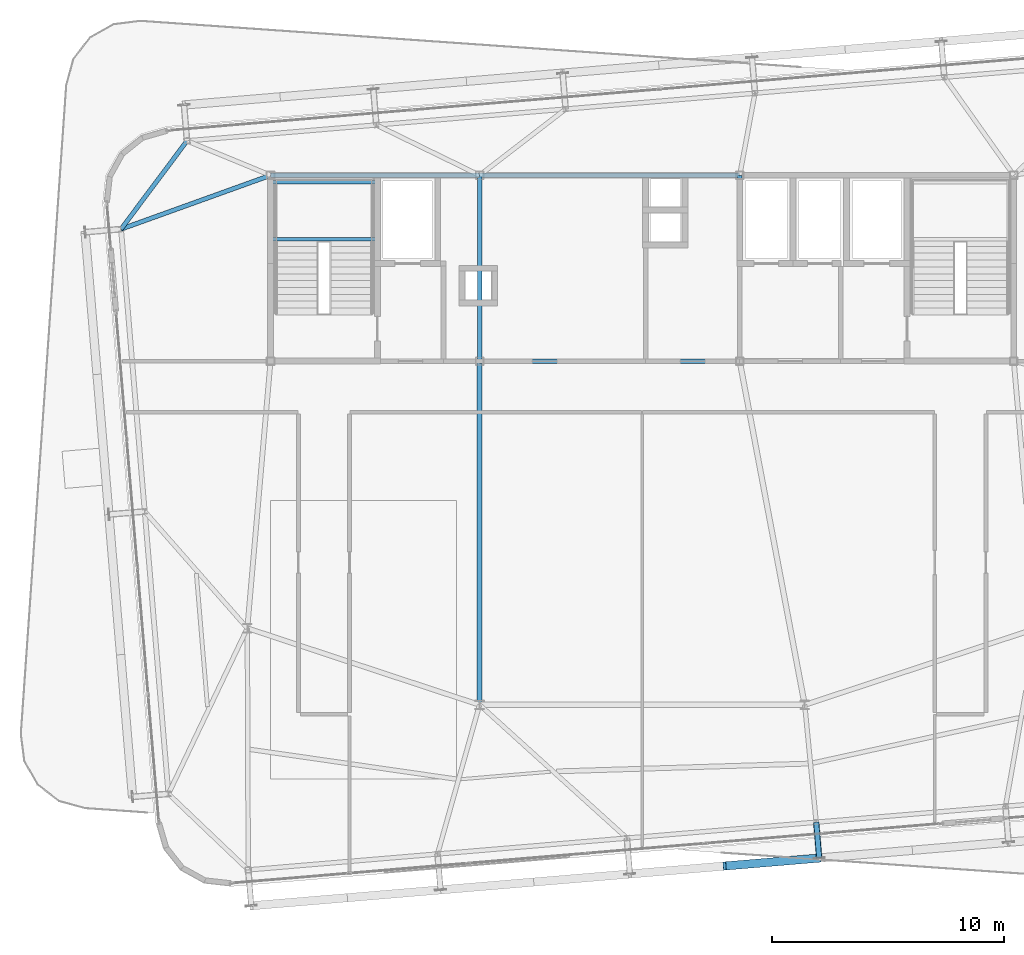
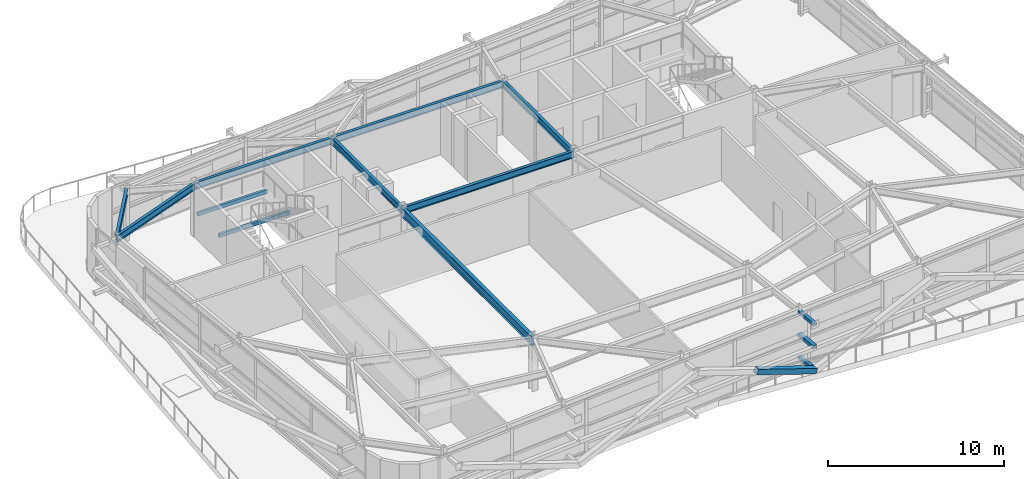
# One storey, part 13 of 38: 10 beams, 4 members.
"""IFC4 building model written with IfcOpenShell, lengths in metres."""

from ifc_helpers import new_model, si_unit, direction, frame, origin, origin_2d, place, context, subcontext, project, spatial, hollow_rectangle, i_section, extrude, source, transform, mapped, material, material_profile, profile_set, type_object, element, save


model = new_model("IFC4")

# Units and contexts
model_context = context("Model", 3, precision=1e-05, world=origin(), true_north=direction((0.0, 1.0)))
body_context = subcontext(model_context, "Body", "Model", "MODEL_VIEW")
ifc_project = project(units=[si_unit("LENGTHUNIT", "METRE"), si_unit("AREAUNIT", "SQUARE_METRE"), si_unit("VOLUMEUNIT", "CUBIC_METRE"), si_unit("PLANEANGLEUNIT", "RADIAN"), si_unit("MASSUNIT", "GRAM", prefix="KILO")], contexts=[model_context])

# Site, building, storey
site_placement = place(None, origin())
site = spatial("IfcSite", under=ifc_project, at=site_placement, CompositionType="ELEMENT")
building_placement = place(site_placement, origin())
building = spatial("IfcBuilding", under=site, at=building_placement, Name="Taldren Reach Tower", CompositionType="ELEMENT")
storey_placement = place(building_placement, frame((0.0, 0.0, 168.699951171875)))
storey = spatial("IfcBuildingStorey", under=building, at=storey_placement, Name="L51", CompositionType="ELEMENT", Elevation=168.699951171875)

# Beams
ifc_material_1 = material(Name="Steel Gr 350 (350PLUS)", Category="steel")
ifc_material_profile_1 = material_profile(ifc_material_1, i_section(OverallWidth=0.19091796875, OverallDepth=0.4599609375, WebThickness=0.010009765625, FlangeThickness=0.01611328125, at=origin_2d()), Name="460UB82.1")
ifc_profile_set_1 = profile_set([ifc_material_profile_1], Name="Steel Gr 350 (350PLUS)")
beam_type_1 = type_object("IfcBeamType", Name="BM-UB460A", PredefinedType="BEAM", material=ifc_profile_set_1)
shared_shape_1 = source(origin(), body_context, "Body", "SweptSolid", [
    extrude(i_section(OverallWidth=0.19091796875, OverallDepth=0.4599609375, WebThickness=0.010009765625, FlangeThickness=0.01611328125, at=origin_2d()), origin(), (0.0, 0.0, 1.0), 9.0),
])
beam_1_placement = place(storey_placement, frame((19.0, 32.0, 3.400146484375), z_axis=(1.0, 0.0, 0.0), x_axis=(0.0, 1.0, 0.0)))
element("IfcBeam", 1, at=beam_1_placement, inside=storey, type_object=beam_type_1, Name="Core-spine girder L51-SP04", PredefinedType="BEAM", context=body_context, shape_type="MappedRepresentation", body=[
    mapped(shared_shape_1, transform((0.0, 0.0, 0.0), scale=1.0)),
])
shared_shape_2 = source(origin(), body_context, "Body", "SweptSolid", [
    extrude(i_section(OverallWidth=0.19091796875, OverallDepth=0.4599609375, WebThickness=0.010009765625, FlangeThickness=0.01611328125, at=origin_2d()), origin(), (0.0, 0.0, 1.0), 11.199951171875),
])
for number, where, z_axis, x_axis, name in (
    (2, (28.0, 24.0, 3.400146484375), (1.0, 0.0, 0.0), (0.0, 1.0, 0.0), "Core-spine girder L51-SP02"),
    (3, (28.0, 32.0, 3.400146484375), (1.0, 0.0, 0.0), (0.0, 1.0, 0.0), "Core-spine girder L51-SP05"),
):
    element("IfcBeam", number, at=place(storey_placement, frame(where, z_axis=z_axis, x_axis=x_axis)), inside=storey, type_object=beam_type_1, Name=name, PredefinedType="BEAM", context=body_context, shape_type="MappedRepresentation", body=[
        mapped(shared_shape_2, transform((0.0, 0.0, 0.0), scale=1.0)),
    ])
shared_shape_3 = source(origin(), body_context, "Body", "SweptSolid", [
    extrude(i_section(OverallWidth=0.19091796875, OverallDepth=0.4599609375, WebThickness=0.010009765625, FlangeThickness=0.01611328125, at=origin_2d()), origin(), (0.0, 0.0, 1.0), 8.0),
])
for number, where, z_axis, x_axis, name in (
    (4, (28.0, 24.0, 3.400146484375), (0.0, 1.0, 0.0), (-1.0, 0.0, 0.0), "Core-spine girder L51-SP07"),
    (5, (39.199951171875, 24.0, 3.400146484375), (0.0, 1.0, 0.0), (-1.0, 0.0, 0.0), "Core-spine girder L51-SP08"),
):
    element("IfcBeam", number, at=place(storey_placement, frame(where, z_axis=z_axis, x_axis=x_axis)), inside=storey, type_object=beam_type_1, Name=name, PredefinedType="BEAM", context=body_context, shape_type="MappedRepresentation", body=[
        mapped(shared_shape_3, transform((0.0, 0.0, 0.0), scale=1.0)),
    ])
ifc_material_profile_2 = material_profile(ifc_material_1, i_section(OverallWidth=0.22802734375, OverallDepth=0.60205078125, WebThickness=0.010498046875, FlangeThickness=0.014892578125, at=origin_2d()), Name="610UB101")
ifc_profile_set_2 = profile_set([ifc_material_profile_2], Name="Steel Gr 350 (350PLUS)")
beam_type_2 = type_object("IfcBeamType", Name="BM-UB610B", PredefinedType="BEAM", material=ifc_profile_set_2)
shared_shape_4 = source(origin(), body_context, "Body", "SweptSolid", [
    extrude(i_section(OverallWidth=0.22802734375, OverallDepth=0.60205078125, WebThickness=0.010498046875, FlangeThickness=0.014892578125, at=origin_2d()), origin(), (0.0, 0.0, 1.0), 14.800048828125),
])
beam_2_placement = place(storey_placement, frame((28.0, 24.0, 3.3291015625), z_axis=(0.0, -1.0, 0.0), x_axis=(1.0, 0.0, 0.0)))
element("IfcBeam", 6, at=beam_2_placement, inside=storey, type_object=beam_type_2, Name="Core-spine girder L51-SP14", PredefinedType="BEAM", context=body_context, shape_type="MappedRepresentation", body=[
    mapped(shared_shape_4, transform((0.0, 0.0, 0.0), scale=1.0)),
])

# Member
ifc_material_2 = material(Name="Steel Gr 350 (C350L0)", Category="steel")
ifc_material_profile_3 = material_profile(ifc_material_2, hollow_rectangle(XDim=0.25, YDim=0.25, WallThickness=0.010009765625, at=origin_2d()), Name="250x250x10.0SHS")
ifc_profile_set_3 = profile_set([ifc_material_profile_3], Name="Steel Gr 350 (C350L0)")
member_type_1 = type_object("IfcMemberType", Name="MB-POST250", PredefinedType="POST", material=ifc_profile_set_3)
shared_shape_5 = source(origin(), body_context, "Body", "SweptSolid", [
    extrude(hollow_rectangle(XDim=0.25, YDim=0.25, WallThickness=0.010009765625, at=origin_2d()), origin(), (0.0, 0.0, 1.0), 1.5498046875),
])
member_1_placement = place(storey_placement, frame((42.49365234375, 4.1474609375, 1.78515625), z_axis=(0.083645141657, -0.996495604746, 0.0), x_axis=(0.996495604746, 0.083645141657, 0.0)))
element("IfcMember", 7, at=member_1_placement, inside=storey, type_object=member_type_1, Name="Exoskeleton mid-tier diaphragm tie B4-S4 L51", PredefinedType="POST", context=body_context, shape_type="MappedRepresentation", body=[
    mapped(shared_shape_5, transform((0.0, 0.0, 0.0), scale=1.0)),
])

# Beams
ifc_material_profile_4 = material_profile(ifc_material_1, i_section(OverallWidth=0.18994140625, OverallDepth=0.4541015625, WebThickness=0.008544921875, FlangeThickness=0.0126953125, at=origin_2d()), Name="460UB67.1")
ifc_profile_set_4 = profile_set([ifc_material_profile_4], Name="Steel Gr 350 (350PLUS)")
beam_type_3 = type_object("IfcBeamType", Name="SP-UB460B", PredefinedType="SPANDREL", material=ifc_profile_set_4)
shared_shape_6 = source(origin(), body_context, "Body", "SweptSolid", [
    extrude(i_section(OverallWidth=0.18994140625, OverallDepth=0.4541015625, WebThickness=0.008544921875, FlangeThickness=0.0126953125, at=origin_2d()), origin(), (0.0, 0.0, 1.0), 4.74609375),
])
beam_3_placement = place(storey_placement, frame((15.40380859375, 33.483642578125, 3.403076171875), z_axis=(-0.598764719121, -0.800924972226, 0.0), x_axis=(0.800924972226, -0.598764719121, 0.0)))
element("IfcBeam", 8, at=beam_3_placement, inside=storey, type_object=beam_type_3, Name="Perimeter spandrel B4 N1-W3 L51", PredefinedType="SPANDREL", context=body_context, shape_type="MappedRepresentation", body=[
    mapped(shared_shape_6, transform((0.0, 0.0, 0.0), scale=1.0)),
])
shared_shape_7 = source(origin(), body_context, "Body", "SweptSolid", [
    extrude(i_section(OverallWidth=0.19091796875, OverallDepth=0.4599609375, WebThickness=0.010009765625, FlangeThickness=0.01611328125, at=origin_2d()), origin(), (0.0, 0.0, 1.0), 6.842529296875),
])
beam_4_placement = place(storey_placement, frame((19.0, 32.0, 3.400146484375), z_axis=(-0.940889686088, -0.33871315093, 0.0), x_axis=(0.33871315093, -0.940889686088, 0.0)))
element("IfcBeam", 9, at=beam_4_placement, inside=storey, type_object=beam_type_1, Name="Primary floor girder B4-W3 L51", PredefinedType="BEAM", context=body_context, shape_type="MappedRepresentation", body=[
    mapped(shared_shape_7, transform((0.0, 0.0, 0.0), scale=1.0)),
])

# Members
ifc_material_3 = material(Name="Steel Gr 450 (C450L0)", Category="steel")
ifc_material_profile_5 = material_profile(ifc_material_3, hollow_rectangle(XDim=0.219970703125, YDim=0.219970703125, WallThickness=0.00830078125, at=origin_2d()), Name="220x220x8.2SHS")
ifc_profile_set_5 = profile_set([ifc_material_profile_5], Name="Steel Gr 450 (C450L0)")
member_type_2 = type_object("IfcMemberType", Name="MB-TIE219", PredefinedType="STRUT", material=ifc_profile_set_5)
shared_shape_8 = source(origin(), body_context, "Body", "SweptSolid", [
    extrude(hollow_rectangle(XDim=0.219970703125, YDim=0.219970703125, WallThickness=0.00830078125, at=origin_2d()), origin(), (0.0, 0.0, 1.0), 1.5498046875),
])
for number, where, z_axis, x_axis, name in (
    (10, (42.49365234375, 4.1474609375, 3.35009765625), (0.083645141657, -0.996495604746, 0.0), (0.996495604746, 0.083645141657, 0.0), "Exoskeleton diaphragm tie strut B4-S4 L51"),
    (11, (42.49365234375, 4.1474609375, 0.219970703125), (0.083645141657, -0.996495604746, 0.0), (0.996495604746, 0.083645141657, 0.0), "Exoskeleton base diaphragm tie strut B4-S4 L51"),
):
    element("IfcMember", number, at=place(storey_placement, frame(where, z_axis=z_axis, x_axis=x_axis)), inside=storey, type_object=member_type_2, Name=name, PredefinedType="STRUT", context=body_context, shape_type="MappedRepresentation", body=[
        mapped(shared_shape_8, transform((0.0, 0.0, 0.0), scale=1.0)),
    ])
ifc_material_profile_6 = material_profile(ifc_material_3, hollow_rectangle(XDim=0.360107421875, YDim=0.360107421875, WallThickness=0.0126953125, at=origin_2d()), Name="360x360x12.7SHS")
ifc_profile_set_6 = profile_set([ifc_material_profile_6], Name="Steel Gr 450 (C450L0)")
member_type_3 = type_object("IfcMemberType", Name="MB-EXO356", PredefinedType="BRACE", material=ifc_profile_set_6)
shared_shape_9 = source(origin(), body_context, "Body", "SweptSolid", [
    extrude(hollow_rectangle(XDim=0.360107421875, YDim=0.360107421875, WallThickness=0.0126953125, at=origin_2d()), origin(), (0.0, 0.0, 1.0), 4.37939453125),
])
member_2_placement = place(storey_placement, frame((42.623291015625, 2.60302734375, 0.219970703125), z_axis=(-0.930672697263, -0.078160004886, 0.357406413212), x_axis=(0.083687662192, -0.996492034688, 0.0)))
element("IfcMember", 12, at=member_2_placement, inside=storey, type_object=member_type_3, Name="Exoskeleton Diagrid Brace B4-S3 L51", PredefinedType="BRACE", context=body_context, shape_type="MappedRepresentation", body=[
    mapped(shared_shape_9, transform((0.0, 0.0, 0.0), scale=1.0)),
])

# Beams
ifc_material_profile_7 = material_profile(ifc_material_2, hollow_rectangle(XDim=0.14990234375, YDim=0.25, WallThickness=0.009033203125, at=origin_2d()), Name="250x150x9.0RHS")
ifc_profile_set_7 = profile_set([ifc_material_profile_7], Name="Steel Gr 350 (C350L0)")
beam_type_4 = type_object("IfcBeamType", Name="LN-RHS250", PredefinedType="LINTEL", material=ifc_profile_set_7)
shared_shape_10 = source(origin(), body_context, "Body", "SweptSolid", [
    extrude(hollow_rectangle(XDim=0.14990234375, YDim=0.25, WallThickness=0.009033203125, at=origin_2d()), origin(), (0.0, 0.0, 1.0), 4.60009765625),
])
for number, where, z_axis, x_axis, name in (
    (13, (19.0, 29.2548828125, 1.6201171875), (1.0, 0.0, 0.0), (0.0, 1.0, 0.0), "Stair half-landing support beam ST1-L51-1"),
    (14, (19.0, 31.699951171875, 1.6201171875), (1.0, 0.0, 0.0), (0.0, 1.0, 0.0), "Stair half-landing support beam ST1-L51-2"),
):
    element("IfcBeam", number, at=place(storey_placement, frame(where, z_axis=z_axis, x_axis=x_axis)), inside=storey, type_object=beam_type_4, Name=name, PredefinedType="LINTEL", context=body_context, shape_type="MappedRepresentation", body=[
        mapped(shared_shape_10, transform((0.0, 0.0, 0.0), scale=1.0)),
    ])

save(model, "model.ifc")
